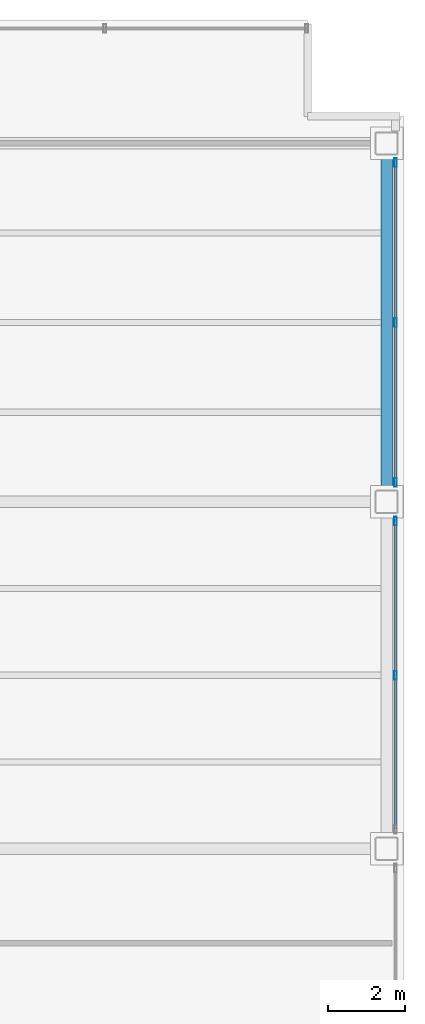
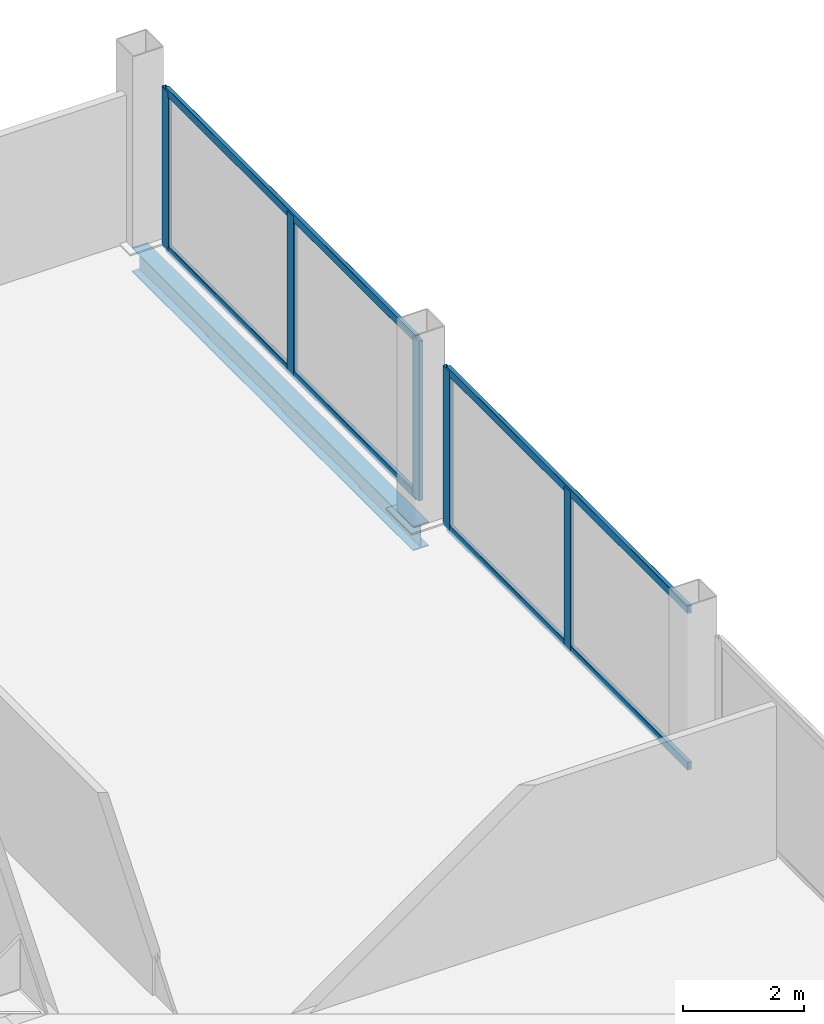
# One storey, part 13 of 22: 9 members, 1 beam, 2 elements without a shape of their own.
"""IFC4 building model written with IfcOpenShell, lengths in metres."""

from ifc_helpers import new_model, si_unit, direction, frame, origin, origin_2d, place, context, subcontext, project, spatial, hollow_rectangle, i_section, extrude, material, material_profile, profile_set, type_object, element, aggregate, save


model = new_model("IFC4")

# Units and contexts
model_context = context("Model", 3, precision=1e-05, world=origin(), true_north=direction((0.0, 1.0)))
body_context = subcontext(model_context, "Body", "Model", "MODEL_VIEW")
ifc_project = project(units=[si_unit("LENGTHUNIT", "METRE"), si_unit("AREAUNIT", "SQUARE_METRE"), si_unit("VOLUMEUNIT", "CUBIC_METRE"), si_unit("PLANEANGLEUNIT", "RADIAN"), si_unit("MASSUNIT", "GRAM", prefix="KILO")], contexts=[model_context])

# Site, building, storey
site_placement = place(None, origin())
site = spatial("IfcSite", under=ifc_project, at=site_placement, CompositionType="ELEMENT")
building_placement = place(site_placement, origin())
building = spatial("IfcBuilding", under=site, at=building_placement, Name="Noeulbin Bourse Tower", CompositionType="ELEMENT")
storey_placement = place(building_placement, frame((0.0, 0.0, 88.89990234375)))
storey = spatial("IfcBuildingStorey", under=building, at=storey_placement, Name="L22", CompositionType="ELEMENT", Elevation=88.89990234375)

# Beam
ifc_material_1 = material(Name="Steel S355", Category="steel")
ifc_material_profile_1 = material_profile(ifc_material_1, i_section(OverallWidth=0.300048828125, OverallDepth=0.488037109375, WebThickness=0.010986328125, FlangeThickness=0.01806640625, FilletRadius=0.02197265625, at=origin_2d()), Name="H-488x300x11x18", Category="LoadBearing")
ifc_profile_set_1 = profile_set([ifc_material_profile_1], Name="Steel S355")
beam_type = type_object("IfcBeamType", Name="BM-SPN-488", PredefinedType="SPANDREL", material=ifc_profile_set_1)
beam_placement = place(storey_placement, frame((57.050048828125, 29.0, -0.423828125), z_axis=(0.0, 1.0, 0.0), x_axis=(-1.0, 0.0, 0.0)))
element("IfcBeam", 1, at=beam_placement, inside=storey, type_object=beam_type, Name="East Spandrel L22-2", PredefinedType="SPANDREL", context=body_context, shape_type="SweptSolid", body=[
    extrude(i_section(OverallWidth=0.300048828125, OverallDepth=0.488037109375, WebThickness=0.010986328125, FlangeThickness=0.01806640625, FilletRadius=0.02197265625, at=origin_2d()), origin(), (0.0, 0.0, 1.0), 9.300048828125),
])

# Curtain wall, members
ifc_material_2 = material(Name="Dark Solar-Control Double Glazing", Category="glass")
curtain_wall_type = type_object("IfcCurtainWallType", Name="CW-SYS-2", PredefinedType="NOTDEFINED", material=ifc_material_2)
curtain_wall_1_placement = place(storey_placement, origin())
curtain_wall_1 = element("IfcCurtainWall", 2, at=curtain_wall_1_placement, inside=storey, type_object=curtain_wall_type, Name="Unitised Curtain Wall CW-L22-E-S2", PredefinedType="NOTDEFINED")
ifc_material_3 = material(Name="Anodised Aluminium 6063-T6", Category="aluminium")
ifc_material_profile_2 = material_profile(ifc_material_3, hollow_rectangle(XDim=0.074951171875, YDim=0.219970703125, WallThickness=0.0048828125, InnerFilletRadius=0.00244140625, OuterFilletRadius=0.0048828125, at=origin_2d()), Name="ALU-MULL-75x220x5", Category="LoadBearing")
ifc_profile_set_2 = profile_set([ifc_material_profile_2], Name="Anodised Aluminium 6063-T6")
member_type_1 = type_object("IfcMemberType", Name="CW-SYS-2-MUL", PredefinedType="MULLION", material=ifc_profile_set_2)
member_1_placement = place(storey_placement, frame((57.280029296875, 24.5, -0.02001953125), z_axis=(0.0, 0.0, 1.0), x_axis=(1.0, 0.0, 0.0)))
member_1 = element("IfcMember", 3, at=member_1_placement, type_object=member_type_1, Name="Curtain Wall Mullion CW-L22-E-S2-M01", PredefinedType="MULLION", context=body_context, shape_type="SweptSolid", body=[
    extrude(hollow_rectangle(XDim=0.074951171875, YDim=0.219970703125, WallThickness=0.0048828125, InnerFilletRadius=0.00244140625, OuterFilletRadius=0.0048828125, at=origin_2d()), origin(), (0.0, 0.0, 1.0), 3.22021484375),
])
member_2_placement = place(storey_placement, frame((57.280029296875, 28.5, -0.02001953125), z_axis=(0.0, 0.0, 1.0), x_axis=(1.0, 0.0, 0.0)))
member_2 = element("IfcMember", 4, at=member_2_placement, type_object=member_type_1, Name="Curtain Wall Mullion CW-L22-E-S2-M02", PredefinedType="MULLION", context=body_context, shape_type="SweptSolid", body=[
    extrude(hollow_rectangle(XDim=0.074951171875, YDim=0.219970703125, WallThickness=0.0048828125, InnerFilletRadius=0.00244140625, OuterFilletRadius=0.0048828125, at=origin_2d()), origin(), (0.0, 0.0, 1.0), 3.22021484375),
])

curtain_wall_2_placement = place(storey_placement, origin())
curtain_wall_2 = element("IfcCurtainWall", 5, at=curtain_wall_2_placement, inside=storey, type_object=curtain_wall_type, Name="Unitised Curtain Wall CW-L22-E-S3", PredefinedType="NOTDEFINED")
member_3_placement = place(storey_placement, frame((57.280029296875, 29.5, -0.02001953125), z_axis=(0.0, 0.0, 1.0), x_axis=(1.0, 0.0, 0.0)))
member_3 = element("IfcMember", 6, at=member_3_placement, type_object=member_type_1, Name="Curtain Wall Mullion CW-L22-E-S3-M00", PredefinedType="MULLION", context=body_context, shape_type="SweptSolid", body=[
    extrude(hollow_rectangle(XDim=0.074951171875, YDim=0.219970703125, WallThickness=0.0048828125, InnerFilletRadius=0.00244140625, OuterFilletRadius=0.0048828125, at=origin_2d()), origin(), (0.0, 0.0, 1.0), 3.22021484375),
])
member_4_placement = place(storey_placement, frame((57.280029296875, 33.64990234375, -0.02001953125), z_axis=(0.0, 0.0, 1.0), x_axis=(1.0, 0.0, 0.0)))
member_4 = element("IfcMember", 7, at=member_4_placement, type_object=member_type_1, Name="Curtain Wall Mullion CW-L22-E-S3-M01", PredefinedType="MULLION", context=body_context, shape_type="SweptSolid", body=[
    extrude(hollow_rectangle(XDim=0.074951171875, YDim=0.219970703125, WallThickness=0.0048828125, InnerFilletRadius=0.00244140625, OuterFilletRadius=0.0048828125, at=origin_2d()), origin(), (0.0, 0.0, 1.0), 3.22021484375),
])
member_5_placement = place(storey_placement, frame((57.280029296875, 37.800048828125, -0.02001953125), z_axis=(0.0, 0.0, 1.0), x_axis=(1.0, 0.0, 0.0)))
member_5 = element("IfcMember", 8, at=member_5_placement, type_object=member_type_1, Name="Curtain Wall Mullion CW-L22-E-S3-M02", PredefinedType="MULLION", context=body_context, shape_type="SweptSolid", body=[
    extrude(hollow_rectangle(XDim=0.074951171875, YDim=0.219970703125, WallThickness=0.0048828125, InnerFilletRadius=0.00244140625, OuterFilletRadius=0.0048828125, at=origin_2d()), origin(), (0.0, 0.0, 1.0), 3.22021484375),
])

# Member
ifc_material_profile_3 = material_profile(ifc_material_3, hollow_rectangle(XDim=0.074951171875, YDim=0.159912109375, WallThickness=0.0048828125, InnerFilletRadius=0.00244140625, OuterFilletRadius=0.0048828125, at=origin_2d()), Name="ALU-TRAN-75x160x5", Category="LoadBearing")
ifc_profile_set_3 = profile_set([ifc_material_profile_3], Name="Anodised Aluminium 6063-T6")
member_type_2 = type_object("IfcMemberType", Name="CW-SYS-2-TRN", PredefinedType="USERDEFINED", material=ifc_profile_set_3)
member_6_placement = place(storey_placement, frame((57.280029296875, 20.510009765625, 0.010009765625), z_axis=(0.0, 1.0, 0.0), x_axis=(-1.0, 0.0, 0.0)))
member_6 = element("IfcMember", 9, at=member_6_placement, type_object=member_type_2, Name="Curtain Wall Transom CW-L22-E-S2-T00", ObjectType="TRANSOM", PredefinedType="USERDEFINED", context=body_context, shape_type="SweptSolid", body=[
    extrude(hollow_rectangle(XDim=0.074951171875, YDim=0.159912109375, WallThickness=0.0048828125, InnerFilletRadius=0.00244140625, OuterFilletRadius=0.0048828125, at=origin_2d()), origin(), (0.0, 0.0, 1.0), 7.97998046875),
])

member_7_placement = place(storey_placement, frame((57.280029296875, 20.510009765625, 3.170166015625), z_axis=(0.0, 1.0, 0.0), x_axis=(-1.0, 0.0, 0.0)))
member_7 = element("IfcMember", 10, at=member_7_placement, type_object=member_type_2, Name="Curtain Wall Transom CW-L22-E-S2-T01", ObjectType="TRANSOM", PredefinedType="USERDEFINED", context=body_context, shape_type="SweptSolid", body=[
    extrude(hollow_rectangle(XDim=0.074951171875, YDim=0.159912109375, WallThickness=0.0048828125, InnerFilletRadius=0.00244140625, OuterFilletRadius=0.0048828125, at=origin_2d()), origin(), (0.0, 0.0, 1.0), 7.97998046875),
])

aggregate(curtain_wall_1, [member_1, member_2, member_6, member_7])

member_8_placement = place(storey_placement, frame((57.280029296875, 29.510009765625, 0.010009765625), z_axis=(0.0, 1.0, 0.0), x_axis=(-1.0, 0.0, 0.0)))
member_8 = element("IfcMember", 11, at=member_8_placement, type_object=member_type_2, Name="Curtain Wall Transom CW-L22-E-S3-T00", ObjectType="TRANSOM", PredefinedType="USERDEFINED", context=body_context, shape_type="SweptSolid", body=[
    extrude(hollow_rectangle(XDim=0.074951171875, YDim=0.159912109375, WallThickness=0.0048828125, InnerFilletRadius=0.00244140625, OuterFilletRadius=0.0048828125, at=origin_2d()), origin(), (0.0, 0.0, 1.0), 8.280029296875),
])

member_9_placement = place(storey_placement, frame((57.280029296875, 29.510009765625, 3.170166015625), z_axis=(0.0, 1.0, 0.0), x_axis=(-1.0, 0.0, 0.0)))
member_9 = element("IfcMember", 12, at=member_9_placement, type_object=member_type_2, Name="Curtain Wall Transom CW-L22-E-S3-T01", ObjectType="TRANSOM", PredefinedType="USERDEFINED", context=body_context, shape_type="SweptSolid", body=[
    extrude(hollow_rectangle(XDim=0.074951171875, YDim=0.159912109375, WallThickness=0.0048828125, InnerFilletRadius=0.00244140625, OuterFilletRadius=0.0048828125, at=origin_2d()), origin(), (0.0, 0.0, 1.0), 8.280029296875),
])

aggregate(curtain_wall_2, [member_3, member_4, member_5, member_8, member_9])

save(model, "model.ifc")
